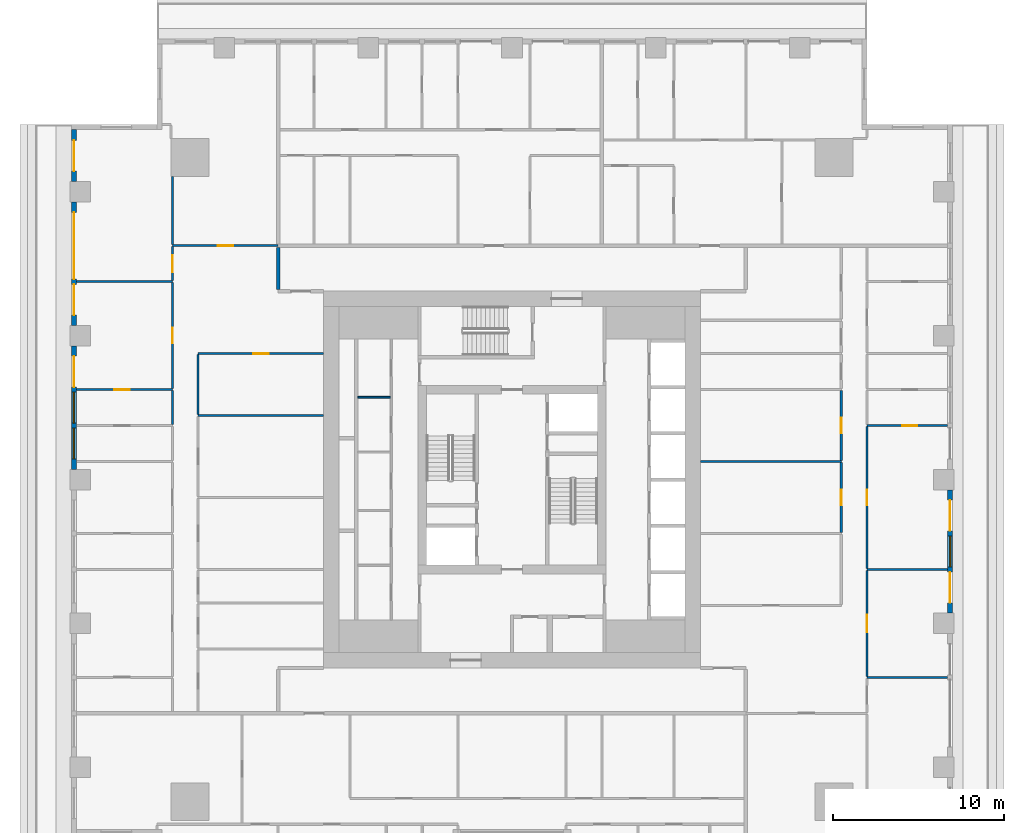
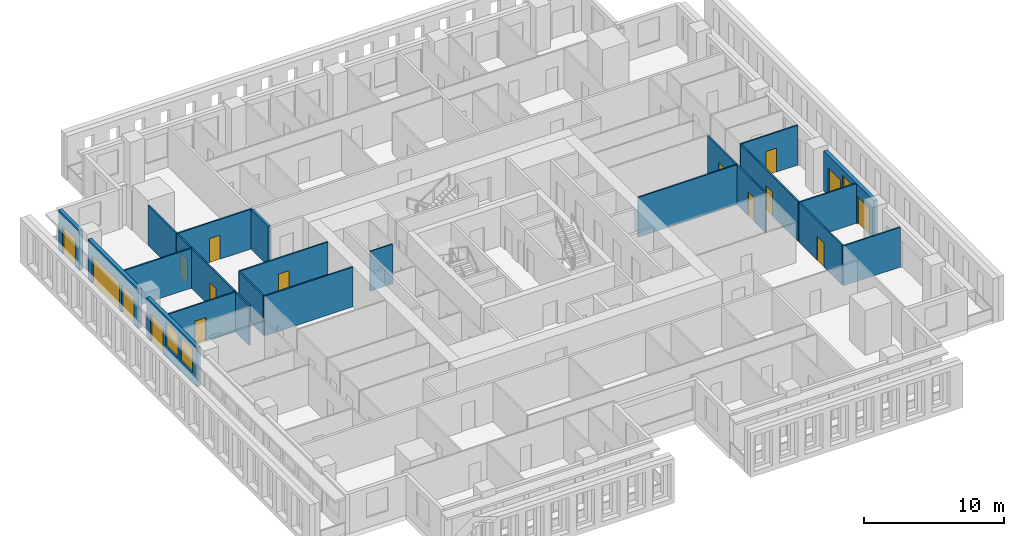
# One storey, part 6 of 15: 24 walls, 16 doors, 3 windows, 19 openings.
"""IFC4 building model written with IfcOpenShell, lengths in metres."""

from ifc_helpers import new_model, si_unit, direction, frame, frame_2d, origin, place, context, subcontext, project, spatial, rectangle, extrude, material, layer, layer_set, type_object, element, fill, save


model = new_model("IFC4")

# Units and contexts
model_context = context("Model", 3, precision=1e-05, world=origin(), true_north=direction((0.0, 1.0)))
body_context = subcontext(model_context, "Body", "Model", "MODEL_VIEW")
ifc_project = project(units=[si_unit("LENGTHUNIT", "METRE"), si_unit("AREAUNIT", "SQUARE_METRE"), si_unit("VOLUMEUNIT", "CUBIC_METRE"), si_unit("PLANEANGLEUNIT", "RADIAN"), si_unit("MASSUNIT", "GRAM", prefix="KILO")], contexts=[model_context])

# Site, building, storey
site_placement = place(None, origin())
site = spatial("IfcSite", under=ifc_project, at=site_placement, CompositionType="ELEMENT")
building_placement = place(site_placement, origin())
building = spatial("IfcBuilding", under=site, at=building_placement, Name="Khepri Terraces", CompositionType="ELEMENT")
storey_placement = place(building_placement, frame((0.0, 0.0, 244.5)))
storey = spatial("IfcBuildingStorey", under=building, at=storey_placement, Name="L58", CompositionType="ELEMENT", Elevation=244.5)

# Walls
ifc_material_1 = material(Name="Fire-rated gypsum board partition")
ifc_layer_1 = layer(ifc_material_1, 0.10009765625, Name="Fire-rated gypsum board partition")
ifc_layer_set_1 = layer_set([ifc_layer_1], Name="Fire-rated gypsum board partition")
wall_type_1 = type_object("IfcWallType", Name="WL-CORE-PART-100", PredefinedType="PARTITIONING", material=ifc_layer_set_1)
wall_1_placement = place(storey_placement, frame((-9.0, 4.800048828125, 0.0), z_axis=(0.0, 0.0, 1.0), x_axis=(1.0, 0.0, 0.0)))
element("IfcWall", 1, at=wall_1_placement, inside=storey, type_object=wall_type_1, Name="Core partition PT11 L58", PredefinedType="PARTITIONING", context=body_context, shape_type="SweptSolid", body=[
    extrude(rectangle(XDim=1.89990234375, YDim=0.10009765625, at=frame_2d((0.949951171875, 0.0))), origin(), (0.0, 0.0, 1.0), 3.47998046875),
])
ifc_material_2 = material(Name="Fire-rated gypsum plasterboard partition, mineral wool")
ifc_layer_2 = layer(ifc_material_2, 0.199951171875, Name="Fire-rated gypsum plasterboard partition, mineral wool")
ifc_layer_set_2 = layer_set([ifc_layer_2], Name="Fire-rated gypsum plasterboard partition, mineral wool")
wall_type_2 = type_object("IfcWallType", Name="WL-CORR-200", PredefinedType="PARTITIONING", material=ifc_layer_set_2)
wall_2_placement = place(storey_placement, frame((-13.64990234375, 11.10009765625, 0.0), z_axis=(0.0, 0.0, 1.0), x_axis=(0.0, 1.0, 0.0)))
element("IfcWall", 2, at=wall_2_placement, inside=storey, type_object=wall_type_2, Name="Partition P-076 L58", PredefinedType="PARTITIONING", context=body_context, shape_type="SweptSolid", body=[
    extrude(rectangle(XDim=2.449951171875, YDim=0.199951171875, at=frame_2d((1.22509765625, 0.0))), origin(), (0.0, 0.0, 1.0), 3.47998046875),
])

# Wall, openings, doors, window
ifc_material_3 = material(Name="Precast concrete C50/60 warm stone", Category="masonry")
ifc_layer_3 = layer(ifc_material_3, 0.300048828125, Name="Precast concrete C50/60 warm stone", Category="masonry")
ifc_layer_set_3 = layer_set([ifc_layer_3], Name="Precast concrete C50/60 warm stone")
wall_type_3 = type_object("IfcWallType", Name="WL-EXT-PRECAST-300", PredefinedType="STANDARD", material=ifc_layer_set_3)
wall_3_placement = place(storey_placement, frame((25.570068359375, -7.800048828125, 0.0), z_axis=(0.0, 0.0, 1.0), x_axis=(0.0, 1.0, 0.0)))
wall_3 = element("IfcWall", 3, at=wall_3_placement, inside=storey, type_object=wall_type_3, Name="External wall L58 E", PredefinedType="STANDARD", context=body_context, shape_type="SweptSolid", body=[
    extrude(rectangle(XDim=7.199951171875, YDim=0.300048828125, at=frame_2d((3.60009765625, 0.0))), origin(), (0.0, 0.0, 1.0), 3.47998046875),
])
opening_1_placement = place(wall_3_placement, frame((0.60009765625, 0.0, 0.0)))
opening_1 = element("IfcOpeningElement", 4, at=opening_1_placement, cuts=wall_3, Name="Opening ED-L58-04", PredefinedType="OPENING", context=body_context, shape_type="SweptSolid", body=[
    extrude(rectangle(XDim=1.800048828125, YDim=2.39990234375, at=frame_2d((0.89990234375, 1.199951171875))), frame((0.0, 0.16015625, 0.0), z_axis=(0.0, -1.0, 0.0), x_axis=(1.0, 0.0, 0.0)), (0.0, 0.0, 1.0), 0.320068359375),
])
opening_2_placement = place(wall_3_placement, frame((2.699951171875, 0.0, 0.89990234375)))
opening_2 = element("IfcOpeningElement", 5, at=opening_2_placement, cuts=wall_3, Name="Opening W1", PredefinedType="OPENING", context=body_context, shape_type="SweptSolid", body=[
    extrude(rectangle(XDim=1.800048828125, YDim=2.10009765625, at=frame_2d((0.89990234375, 1.050048828125))), frame((0.0, 0.16015625, 0.0), z_axis=(0.0, -1.0, 0.0), x_axis=(1.0, 0.0, 0.0)), (0.0, 0.0, 1.0), 0.320068359375),
])
opening_3_placement = place(wall_3_placement, frame((4.800048828125, 0.0, 0.0)))
opening_3 = element("IfcOpeningElement", 6, at=opening_3_placement, cuts=wall_3, Name="Opening ED-L58-05", PredefinedType="OPENING", context=body_context, shape_type="SweptSolid", body=[
    extrude(rectangle(XDim=1.800048828125, YDim=2.39990234375, at=frame_2d((0.89990234375, 1.199951171875))), frame((0.0, 0.16015625, 0.0), z_axis=(0.0, -1.0, 0.0), x_axis=(1.0, 0.0, 0.0)), (0.0, 0.0, 1.0), 0.320068359375),
])
ifc_material_4 = material(Name="Anodised aluminium bronze glazed door", Category="aluminium")
door_type_1 = type_object("IfcDoorType", Name="DR-BAL-SLIDE-1800x2400", OperationType="NOTDEFINED", PredefinedType="DOOR", material=ifc_material_4)
door_1_placement = place(opening_1_placement, origin())
door_1 = element("IfcDoor", 7, at=door_1_placement, inside=storey, type_object=door_type_1, Name="Balcony door L58 E", OperationType="SLIDING_TO_LEFT", OverallHeight=2.39990234375, OverallWidth=1.800048828125, PredefinedType="DOOR", context=body_context, shape_type="SweptSolid", body=[
    extrude(rectangle(XDim=1.800048828125, YDim=2.39990234375, at=frame_2d((0.89990234375, 1.199951171875))), frame((0.0, 0.02490234375, 0.0), z_axis=(0.0, -1.0, 0.0), x_axis=(1.0, 0.0, 0.0)), (0.0, 0.0, 1.0), 0.050048828125),
])
fill(opening_1, door_1)
door_2_placement = place(opening_3_placement, origin())
door_2 = element("IfcDoor", 8, at=door_2_placement, inside=storey, type_object=door_type_1, Name="Balcony door L58 E", OperationType="SLIDING_TO_RIGHT", OverallHeight=2.39990234375, OverallWidth=1.800048828125, PredefinedType="DOOR", context=body_context, shape_type="SweptSolid", body=[
    extrude(rectangle(XDim=1.800048828125, YDim=2.39990234375, at=frame_2d((0.89990234375, 1.199951171875))), frame((0.0, 0.02490234375, 0.0), z_axis=(0.0, -1.0, 0.0), x_axis=(1.0, 0.0, 0.0)), (0.0, 0.0, 1.0), 0.050048828125),
])
fill(opening_3, door_2)
ifc_material_5 = material(Name="Clear glass", Category="glass")
window_type = type_object("IfcWindowType", Name="WIN-RES-1800x2100", PartitioningType="SINGLE_PANEL", PredefinedType="WINDOW", material=ifc_material_5)
window_1_placement = place(opening_2_placement, origin())
window_1 = element("IfcWindow", 9, at=window_1_placement, inside=storey, type_object=window_type, Name="Window L58 E", OverallHeight=2.10009765625, OverallWidth=1.800048828125, PartitioningType="SINGLE_PANEL", PredefinedType="WINDOW", context=body_context, shape_type="SweptSolid", body=[
    extrude(rectangle(XDim=1.800048828125, YDim=2.10009765625, at=frame_2d((0.89990234375, 1.050048828125))), frame((0.0, 0.030029296875, 0.0), z_axis=(0.0, -1.0, 0.0), x_axis=(1.0, 0.0, 0.0)), (0.0, 0.0, 1.0), 0.06005859375),
])
fill(opening_2, window_1)

# Wall, opening, door
wall_4_placement = place(storey_placement, frame((-25.570068359375, 20.419921875, 0.0), z_axis=(0.0, 0.0, 1.0), x_axis=(0.0, -1.0, 0.0)))
wall_4 = element("IfcWall", 10, at=wall_4_placement, inside=storey, type_object=wall_type_3, Name="External wall L58 W", PredefinedType="STANDARD", context=body_context, shape_type="SweptSolid", body=[
    extrude(rectangle(XDim=3.02001953125, YDim=0.300048828125, at=frame_2d((1.510009765625, 0.0))), origin(), (0.0, 0.0, 1.0), 3.47998046875),
])
opening_4_placement = place(wall_4_placement, frame((0.6201171875, 0.0, 0.0)))
opening_4 = element("IfcOpeningElement", 11, at=opening_4_placement, cuts=wall_4, Name="Opening ED-L58-12", PredefinedType="OPENING", context=body_context, shape_type="SweptSolid", body=[
    extrude(rectangle(XDim=1.800048828125, YDim=2.39990234375, at=frame_2d((0.89990234375, 1.199951171875))), frame((0.0, 0.16015625, 0.0), z_axis=(0.0, -1.0, 0.0), x_axis=(1.0, 0.0, 0.0)), (0.0, 0.0, 1.0), 0.320068359375),
])
door_3_placement = place(opening_4_placement, origin())
door_3 = element("IfcDoor", 12, at=door_3_placement, inside=storey, type_object=door_type_1, Name="Balcony door L58 W", OperationType="SLIDING_TO_RIGHT", OverallHeight=2.39990234375, OverallWidth=1.800048828125, PredefinedType="DOOR", context=body_context, shape_type="SweptSolid", body=[
    extrude(rectangle(XDim=1.800048828125, YDim=2.39990234375, at=frame_2d((0.89990234375, 1.199951171875))), frame((0.0, 0.02490234375, 0.0), z_axis=(0.0, -1.0, 0.0), x_axis=(1.0, 0.0, 0.0)), (0.0, 0.0, 1.0), 0.050048828125),
])
fill(opening_4, door_3)

# Wall, openings, doors
wall_5_placement = place(storey_placement, frame((-25.570068359375, 16.199951171875, 0.0), z_axis=(0.0, 0.0, 1.0), x_axis=(0.0, -1.0, 0.0)))
wall_5 = element("IfcWall", 13, at=wall_5_placement, inside=storey, type_object=wall_type_3, Name="External wall L58 W", PredefinedType="STANDARD", context=body_context, shape_type="SweptSolid", body=[
    extrude(rectangle(XDim=7.199951171875, YDim=0.300048828125, at=frame_2d((3.60009765625, 0.0))), origin(), (0.0, 0.0, 1.0), 3.47998046875),
])
opening_5_placement = place(wall_5_placement, frame((0.60009765625, 0.0, 0.0)))
opening_5 = element("IfcOpeningElement", 14, at=opening_5_placement, cuts=wall_5, Name="Opening ED-L58-13", PredefinedType="OPENING", context=body_context, shape_type="SweptSolid", body=[
    extrude(rectangle(XDim=3.89990234375, YDim=2.39990234375, at=frame_2d((1.949951171875, 1.199951171875))), frame((0.0, 0.16015625, 0.0), z_axis=(0.0, -1.0, 0.0), x_axis=(1.0, 0.0, 0.0)), (0.0, 0.0, 1.0), 0.320068359375),
])
opening_6_placement = place(wall_5_placement, frame((4.800048828125, 0.0, 0.0)))
opening_6 = element("IfcOpeningElement", 15, at=opening_6_placement, cuts=wall_5, Name="Opening ED-L58-14", PredefinedType="OPENING", context=body_context, shape_type="SweptSolid", body=[
    extrude(rectangle(XDim=1.800048828125, YDim=2.39990234375, at=frame_2d((0.89990234375, 1.199951171875))), frame((0.0, 0.16015625, 0.0), z_axis=(0.0, -1.0, 0.0), x_axis=(1.0, 0.0, 0.0)), (0.0, 0.0, 1.0), 0.320068359375),
])
door_4_placement = place(opening_6_placement, origin())
door_4 = element("IfcDoor", 16, at=door_4_placement, inside=storey, type_object=door_type_1, Name="Balcony door L58 W", OperationType="SLIDING_TO_RIGHT", OverallHeight=2.39990234375, OverallWidth=1.800048828125, PredefinedType="DOOR", context=body_context, shape_type="SweptSolid", body=[
    extrude(rectangle(XDim=1.800048828125, YDim=2.39990234375, at=frame_2d((0.89990234375, 1.199951171875))), frame((0.0, 0.02490234375, 0.0), z_axis=(0.0, -1.0, 0.0), x_axis=(1.0, 0.0, 0.0)), (0.0, 0.0, 1.0), 0.050048828125),
])
fill(opening_6, door_4)
door_type_2 = type_object("IfcDoorType", Name="DR-BAL-SLIDE-3900x2400", OperationType="NOTDEFINED", PredefinedType="DOOR", material=ifc_material_4)
door_5_placement = place(opening_5_placement, origin())
door_5 = element("IfcDoor", 17, at=door_5_placement, inside=storey, type_object=door_type_2, Name="Balcony door L58 W", OperationType="SLIDING_TO_LEFT", OverallHeight=2.39990234375, OverallWidth=3.89990234375, PredefinedType="DOOR", context=body_context, shape_type="SweptSolid", body=[
    extrude(rectangle(XDim=3.89990234375, YDim=2.39990234375, at=frame_2d((1.949951171875, 1.199951171875))), frame((0.0, 0.02490234375, 0.0), z_axis=(0.0, -1.0, 0.0), x_axis=(1.0, 0.0, 0.0)), (0.0, 0.0, 1.0), 0.050048828125),
])
fill(opening_5, door_5)

# Wall, openings, door, windows
wall_6_placement = place(storey_placement, frame((-25.570068359375, 7.800048828125, 0.0), z_axis=(0.0, 0.0, 1.0), x_axis=(0.0, -1.0, 0.0)))
wall_6 = element("IfcWall", 18, at=wall_6_placement, inside=storey, type_object=wall_type_3, Name="External wall L58 W", PredefinedType="STANDARD", context=body_context, shape_type="SweptSolid", body=[
    extrude(rectangle(XDim=7.199951171875, YDim=0.300048828125, at=frame_2d((3.60009765625, 0.0))), origin(), (0.0, 0.0, 1.0), 3.47998046875),
])
opening_7_placement = place(wall_6_placement, frame((0.60009765625, 0.0, 0.0)))
opening_7 = element("IfcOpeningElement", 19, at=opening_7_placement, cuts=wall_6, Name="Opening ED-L58-15", PredefinedType="OPENING", context=body_context, shape_type="SweptSolid", body=[
    extrude(rectangle(XDim=1.800048828125, YDim=2.39990234375, at=frame_2d((0.89990234375, 1.199951171875))), frame((0.0, 0.16015625, 0.0), z_axis=(0.0, -1.0, 0.0), x_axis=(1.0, 0.0, 0.0)), (0.0, 0.0, 1.0), 0.320068359375),
])
opening_8_placement = place(wall_6_placement, frame((2.699951171875, 0.0, 0.89990234375)))
opening_8 = element("IfcOpeningElement", 20, at=opening_8_placement, cuts=wall_6, Name="Opening W1", PredefinedType="OPENING", context=body_context, shape_type="SweptSolid", body=[
    extrude(rectangle(XDim=1.800048828125, YDim=2.10009765625, at=frame_2d((0.89990234375, 1.050048828125))), frame((0.0, 0.16015625, 0.0), z_axis=(0.0, -1.0, 0.0), x_axis=(1.0, 0.0, 0.0)), (0.0, 0.0, 1.0), 0.320068359375),
])
opening_9_placement = place(wall_6_placement, frame((4.800048828125, 0.0, 0.89990234375)))
opening_9 = element("IfcOpeningElement", 21, at=opening_9_placement, cuts=wall_6, Name="Opening W1", PredefinedType="OPENING", context=body_context, shape_type="SweptSolid", body=[
    extrude(rectangle(XDim=1.800048828125, YDim=2.10009765625, at=frame_2d((0.89990234375, 1.050048828125))), frame((0.0, 0.16015625, 0.0), z_axis=(0.0, -1.0, 0.0), x_axis=(1.0, 0.0, 0.0)), (0.0, 0.0, 1.0), 0.320068359375),
])
door_6_placement = place(opening_7_placement, origin())
door_6 = element("IfcDoor", 22, at=door_6_placement, inside=storey, type_object=door_type_1, Name="Balcony door L58 W", OperationType="SLIDING_TO_LEFT", OverallHeight=2.39990234375, OverallWidth=1.800048828125, PredefinedType="DOOR", context=body_context, shape_type="SweptSolid", body=[
    extrude(rectangle(XDim=1.800048828125, YDim=2.39990234375, at=frame_2d((0.89990234375, 1.199951171875))), frame((0.0, 0.02490234375, 0.0), z_axis=(0.0, -1.0, 0.0), x_axis=(1.0, 0.0, 0.0)), (0.0, 0.0, 1.0), 0.050048828125),
])
fill(opening_7, door_6)
window_2_placement = place(opening_8_placement, origin())
window_2 = element("IfcWindow", 23, at=window_2_placement, inside=storey, type_object=window_type, Name="Window L58 W", OverallHeight=2.10009765625, OverallWidth=1.800048828125, PartitioningType="SINGLE_PANEL", PredefinedType="WINDOW", context=body_context, shape_type="SweptSolid", body=[
    extrude(rectangle(XDim=1.800048828125, YDim=2.10009765625, at=frame_2d((0.89990234375, 1.050048828125))), frame((0.0, 0.030029296875, 0.0), z_axis=(0.0, -1.0, 0.0), x_axis=(1.0, 0.0, 0.0)), (0.0, 0.0, 1.0), 0.06005859375),
])
fill(opening_8, window_2)
window_3_placement = place(opening_9_placement, origin())
window_3 = element("IfcWindow", 24, at=window_3_placement, inside=storey, type_object=window_type, Name="Window L58 W", OverallHeight=2.10009765625, OverallWidth=1.800048828125, PartitioningType="SINGLE_PANEL", PredefinedType="WINDOW", context=body_context, shape_type="SweptSolid", body=[
    extrude(rectangle(XDim=1.800048828125, YDim=2.10009765625, at=frame_2d((0.89990234375, 1.050048828125))), frame((0.0, 0.030029296875, 0.0), z_axis=(0.0, -1.0, 0.0), x_axis=(1.0, 0.0, 0.0)), (0.0, 0.0, 1.0), 0.06005859375),
])
fill(opening_9, window_3)

# Wall
ifc_material_6 = material(Name="Gypsum plasterboard partition")
ifc_layer_4 = layer(ifc_material_6, 0.1201171875, Name="Gypsum plasterboard partition")
ifc_layer_set_4 = layer_set([ifc_layer_4], Name="Gypsum plasterboard partition")
wall_type_4 = type_object("IfcWallType", Name="WL-PART-120", PredefinedType="PARTITIONING", material=ifc_layer_set_4)
wall_7_placement = place(storey_placement, frame((20.719970703125, -11.550048828125, 0.0), z_axis=(0.0, 0.0, 1.0), x_axis=(1.0, 0.0, 0.0)))
element("IfcWall", 25, at=wall_7_placement, inside=storey, type_object=wall_type_4, Name="Partition P-028 L58", PredefinedType="PARTITIONING", context=body_context, shape_type="SweptSolid", body=[
    extrude(rectangle(XDim=4.699951171875, YDim=0.1201171875, at=frame_2d((2.35009765625, 0.0))), origin(), (0.0, 0.0, 1.0), 3.47998046875),
])

# Wall, opening, door
wall_8_placement = place(storey_placement, frame((20.719970703125, -11.489990234375, 0.0), z_axis=(0.0, 0.0, 1.0), x_axis=(0.0, 1.0, 0.0)))
wall_8 = element("IfcWall", 26, at=wall_8_placement, inside=storey, type_object=wall_type_4, Name="Partition P-030 L58", PredefinedType="PARTITIONING", context=body_context, shape_type="SweptSolid", body=[
    extrude(rectangle(XDim=6.179931640625, YDim=0.1201171875, at=frame_2d((3.08984375, 0.0))), origin(), (0.0, 0.0, 1.0), 3.47998046875),
])
opening_10_placement = place(wall_8_placement, frame((2.590087890625, 0.0, 0.0)))
opening_10 = element("IfcOpeningElement", 27, at=opening_10_placement, cuts=wall_8, Name="Opening D2", PredefinedType="OPENING", context=body_context, shape_type="SweptSolid", body=[
    extrude(rectangle(XDim=1.0, YDim=2.10009765625, at=frame_2d((0.5, 1.050048828125))), frame((0.0, 0.070068359375, 0.0), z_axis=(0.0, -1.0, 0.0), x_axis=(1.0, 0.0, 0.0)), (0.0, 0.0, 1.0), 0.14013671875),
])
ifc_material_7 = material(Name="Timber door leaf, living room door", Category="wood")
door_type_3 = type_object("IfcDoorType", Name="DR-INT-1000", OperationType="NOTDEFINED", PredefinedType="DOOR", material=ifc_material_7)
door_7_placement = place(opening_10_placement, frame((1.0, 0.0, 0.0), z_axis=(0.0, 0.0, 1.0), x_axis=(-1.0, 0.0, 0.0)))
door_7 = element("IfcDoor", 28, at=door_7_placement, inside=storey, type_object=door_type_3, Name="Door Family Room", OperationType="SINGLE_SWING_RIGHT", OverallHeight=2.10009765625, OverallWidth=1.0, PredefinedType="DOOR", context=body_context, shape_type="SweptSolid", body=[
    extrude(rectangle(XDim=1.0, YDim=2.10009765625, at=frame_2d((0.5, 1.050048828125))), frame((0.0, 0.02490234375, 0.0), z_axis=(0.0, -1.0, 0.0), x_axis=(1.0, 0.0, 0.0)), (0.0, 0.0, 1.0), 0.050048828125),
])
fill(opening_10, door_7)

# Wall
wall_9_placement = place(storey_placement, frame((20.719970703125, -5.25, 0.0), z_axis=(0.0, 0.0, 1.0), x_axis=(1.0, 0.0, 0.0)))
element("IfcWall", 29, at=wall_9_placement, inside=storey, type_object=wall_type_4, Name="Partition P-041 L58", PredefinedType="PARTITIONING", context=body_context, shape_type="SweptSolid", body=[
    extrude(rectangle(XDim=4.699951171875, YDim=0.1201171875, at=frame_2d((2.35009765625, 0.0))), origin(), (0.0, 0.0, 1.0), 3.47998046875),
])

# Wall, opening, door
wall_10_placement = place(storey_placement, frame((20.719970703125, -5.18994140625, 0.0), z_axis=(0.0, 0.0, 1.0), x_axis=(0.0, 1.0, 0.0)))
wall_10 = element("IfcWall", 30, at=wall_10_placement, inside=storey, type_object=wall_type_4, Name="Partition P-044 L58", PredefinedType="PARTITIONING", context=body_context, shape_type="SweptSolid", body=[
    extrude(rectangle(XDim=8.280029296875, YDim=0.1201171875, at=frame_2d((4.14013671875, 0.0))), origin(), (0.0, 0.0, 1.0), 3.47998046875),
])
opening_11_placement = place(wall_10_placement, frame((3.68994140625, 0.0, 0.0)))
opening_11 = element("IfcOpeningElement", 31, at=opening_11_placement, cuts=wall_10, Name="Opening D3", PredefinedType="OPENING", context=body_context, shape_type="SweptSolid", body=[
    extrude(rectangle(XDim=0.89990234375, YDim=2.10009765625, at=frame_2d((0.449951171875, 1.050048828125))), frame((0.0, 0.070068359375, 0.0), z_axis=(0.0, -1.0, 0.0), x_axis=(1.0, 0.0, 0.0)), (0.0, 0.0, 1.0), 0.14013671875),
])
ifc_material_8 = material(Name="Timber door leaf", Category="wood")
door_type_4 = type_object("IfcDoorType", Name="DR-INT-900", OperationType="NOTDEFINED", PredefinedType="DOOR", material=ifc_material_8)
door_8_placement = place(opening_11_placement, frame((0.89990234375, 0.0, 0.0), z_axis=(0.0, 0.0, 1.0), x_axis=(-1.0, 0.0, 0.0)))
door_8 = element("IfcDoor", 32, at=door_8_placement, inside=storey, type_object=door_type_4, Name="Door Master Bedroom", OperationType="SINGLE_SWING_LEFT", OverallHeight=2.10009765625, OverallWidth=0.89990234375, PredefinedType="DOOR", context=body_context, shape_type="SweptSolid", body=[
    extrude(rectangle(XDim=0.89990234375, YDim=2.10009765625, at=frame_2d((0.449951171875, 1.050048828125))), frame((0.0, 0.02490234375, 0.0), z_axis=(0.0, -1.0, 0.0), x_axis=(1.0, 0.0, 0.0)), (0.0, 0.0, 1.0), 0.050048828125),
])
fill(opening_11, door_8)

wall_11_placement = place(storey_placement, frame((19.219970703125, -3.090087890625, 0.0), z_axis=(0.0, 0.0, 1.0), x_axis=(0.0, 1.0, 0.0)))
wall_11 = element("IfcWall", 33, at=wall_11_placement, inside=storey, type_object=wall_type_4, Name="Partition P-048 L58", PredefinedType="PARTITIONING", context=body_context, shape_type="SweptSolid", body=[
    extrude(rectangle(XDim=4.080078125, YDim=0.1201171875, at=frame_2d((2.0400390625, 0.0))), origin(), (0.0, 0.0, 1.0), 3.47998046875),
])
opening_12_placement = place(wall_11_placement, frame((1.590087890625, 0.0, 0.0)))
opening_12 = element("IfcOpeningElement", 34, at=opening_12_placement, cuts=wall_11, Name="Opening D3", PredefinedType="OPENING", context=body_context, shape_type="SweptSolid", body=[
    extrude(rectangle(XDim=0.89990234375, YDim=2.10009765625, at=frame_2d((0.449951171875, 1.050048828125))), frame((0.0, 0.070068359375, 0.0), z_axis=(0.0, -1.0, 0.0), x_axis=(1.0, 0.0, 0.0)), (0.0, 0.0, 1.0), 0.14013671875),
])
door_9_placement = place(opening_12_placement, origin())
door_9 = element("IfcDoor", 35, at=door_9_placement, inside=storey, type_object=door_type_4, Name="Door Service Kitchen", OperationType="SINGLE_SWING_RIGHT", OverallHeight=2.10009765625, OverallWidth=0.89990234375, PredefinedType="DOOR", context=body_context, shape_type="SweptSolid", body=[
    extrude(rectangle(XDim=0.89990234375, YDim=2.10009765625, at=frame_2d((0.449951171875, 1.050048828125))), frame((0.0, 0.02490234375, 0.0), z_axis=(0.0, -1.0, 0.0), x_axis=(1.0, 0.0, 0.0)), (0.0, 0.0, 1.0), 0.050048828125),
])
fill(opening_12, door_9)

# Wall
wall_12_placement = place(storey_placement, frame((11.0, 1.050048828125, 0.0), z_axis=(0.0, 0.0, 1.0), x_axis=(1.0, 0.0, 0.0)))
element("IfcWall", 36, at=wall_12_placement, inside=storey, type_object=wall_type_4, Name="Partition P-052 L58", PredefinedType="PARTITIONING", context=body_context, shape_type="SweptSolid", body=[
    extrude(rectangle(XDim=8.219970703125, YDim=0.1201171875, at=frame_2d((4.10986328125, 0.0))), origin(), (0.0, 0.0, 1.0), 3.47998046875),
])

# Wall, opening, door
wall_13_placement = place(storey_placement, frame((19.219970703125, 1.110107421875, 0.0), z_axis=(0.0, 0.0, 1.0), x_axis=(0.0, 1.0, 0.0)))
wall_13 = element("IfcWall", 37, at=wall_13_placement, inside=storey, type_object=wall_type_4, Name="Partition P-054 L58", PredefinedType="PARTITIONING", context=body_context, shape_type="SweptSolid", body=[
    extrude(rectangle(XDim=4.079833984375, YDim=0.1201171875, at=frame_2d((2.0400390625, 0.0))), origin(), (0.0, 0.0, 1.0), 3.47998046875),
])
opening_13_placement = place(wall_13_placement, frame((1.590087890625, 0.0, 0.0)))
opening_13 = element("IfcOpeningElement", 38, at=opening_13_placement, cuts=wall_13, Name="Opening D3", PredefinedType="OPENING", context=body_context, shape_type="SweptSolid", body=[
    extrude(rectangle(XDim=0.89990234375, YDim=2.10009765625, at=frame_2d((0.449951171875, 1.050048828125))), frame((0.0, 0.070068359375, 0.0), z_axis=(0.0, -1.0, 0.0), x_axis=(1.0, 0.0, 0.0)), (0.0, 0.0, 1.0), 0.14013671875),
])
door_10_placement = place(opening_13_placement, origin())
door_10 = element("IfcDoor", 39, at=door_10_placement, inside=storey, type_object=door_type_4, Name="Door Staff Bedroom", OperationType="SINGLE_SWING_RIGHT", OverallHeight=2.10009765625, OverallWidth=0.89990234375, PredefinedType="DOOR", context=body_context, shape_type="SweptSolid", body=[
    extrude(rectangle(XDim=0.89990234375, YDim=2.10009765625, at=frame_2d((0.449951171875, 1.050048828125))), frame((0.0, 0.02490234375, 0.0), z_axis=(0.0, -1.0, 0.0), x_axis=(1.0, 0.0, 0.0)), (0.0, 0.0, 1.0), 0.050048828125),
])
fill(opening_13, door_10)

wall_14_placement = place(storey_placement, frame((20.719970703125, 3.14990234375, 0.0), z_axis=(0.0, 0.0, 1.0), x_axis=(1.0, 0.0, 0.0)))
wall_14 = element("IfcWall", 40, at=wall_14_placement, inside=storey, type_object=wall_type_4, Name="Partition P-056 L58", PredefinedType="PARTITIONING", context=body_context, shape_type="SweptSolid", body=[
    extrude(rectangle(XDim=4.699951171875, YDim=0.1201171875, at=frame_2d((2.35009765625, 0.0))), origin(), (0.0, 0.0, 1.0), 3.47998046875),
])
opening_14_placement = place(wall_14_placement, frame((2.050048828125, 0.0, 0.0)))
opening_14 = element("IfcOpeningElement", 41, at=opening_14_placement, cuts=wall_14, Name="Opening D3", PredefinedType="OPENING", context=body_context, shape_type="SweptSolid", body=[
    extrude(rectangle(XDim=0.89990234375, YDim=2.10009765625, at=frame_2d((0.449951171875, 1.050048828125))), frame((0.0, 0.070068359375, 0.0), z_axis=(0.0, -1.0, 0.0), x_axis=(1.0, 0.0, 0.0)), (0.0, 0.0, 1.0), 0.14013671875),
])
door_11_placement = place(opening_14_placement, origin())
door_11 = element("IfcDoor", 42, at=door_11_placement, inside=storey, type_object=door_type_4, Name="Door Dressing Room", OperationType="SINGLE_SWING_RIGHT", OverallHeight=2.10009765625, OverallWidth=0.89990234375, PredefinedType="DOOR", context=body_context, shape_type="SweptSolid", body=[
    extrude(rectangle(XDim=0.89990234375, YDim=2.10009765625, at=frame_2d((0.449951171875, 1.050048828125))), frame((0.0, 0.02490234375, 0.0), z_axis=(0.0, -1.0, 0.0), x_axis=(1.0, 0.0, 0.0)), (0.0, 0.0, 1.0), 0.050048828125),
])
fill(opening_14, door_11)

# Walls
wall_15_placement = place(storey_placement, frame((-19.820068359375, 3.2099609375, 0.0), z_axis=(0.0, 0.0, 1.0), x_axis=(0.0, 1.0, 0.0)))
element("IfcWall", 43, at=wall_15_placement, inside=storey, type_object=wall_type_4, Name="Partition P-057 L58", PredefinedType="PARTITIONING", context=body_context, shape_type="SweptSolid", body=[
    extrude(rectangle(XDim=1.97998046875, YDim=0.1201171875, at=frame_2d((0.989990234375, 0.0))), origin(), (0.0, 0.0, 1.0), 3.47998046875),
])
wall_16_placement = place(storey_placement, frame((-18.320068359375, 3.75, 0.0), z_axis=(0.0, 0.0, 1.0), x_axis=(1.0, 0.0, 0.0)))
element("IfcWall", 44, at=wall_16_placement, inside=storey, type_object=wall_type_4, Name="Partition P-059 L58", PredefinedType="PARTITIONING", context=body_context, shape_type="SweptSolid", body=[
    extrude(rectangle(XDim=7.320068359375, YDim=0.1201171875, at=frame_2d((3.66015625, 0.0))), origin(), (0.0, 0.0, 1.0), 3.47998046875),
])
wall_17_placement = place(storey_placement, frame((-18.320068359375, 3.81005859375, 0.0), z_axis=(0.0, 0.0, 1.0), x_axis=(0.0, 1.0, 0.0)))
element("IfcWall", 45, at=wall_17_placement, inside=storey, type_object=wall_type_4, Name="Partition P-060 L58", PredefinedType="PARTITIONING", context=body_context, shape_type="SweptSolid", body=[
    extrude(rectangle(XDim=3.47998046875, YDim=0.1201171875, at=frame_2d((1.739990234375, 0.0))), origin(), (0.0, 0.0, 1.0), 3.47998046875),
])

# Wall, opening, door
wall_18_placement = place(storey_placement, frame((-25.419921875, 5.25, 0.0), z_axis=(0.0, 0.0, 1.0), x_axis=(1.0, 0.0, 0.0)))
wall_18 = element("IfcWall", 46, at=wall_18_placement, inside=storey, type_object=wall_type_4, Name="Partition P-061 L58", PredefinedType="PARTITIONING", context=body_context, shape_type="SweptSolid", body=[
    extrude(rectangle(XDim=5.599853515625, YDim=0.1201171875, at=frame_2d((2.7998046875, 0.0))), origin(), (0.0, 0.0, 1.0), 3.47998046875),
])
opening_15_placement = place(wall_18_placement, frame((2.199951171875, 0.0, 0.0)))
opening_15 = element("IfcOpeningElement", 47, at=opening_15_placement, cuts=wall_18, Name="Opening D3", PredefinedType="OPENING", context=body_context, shape_type="SweptSolid", body=[
    extrude(rectangle(XDim=0.89990234375, YDim=2.10009765625, at=frame_2d((0.449951171875, 1.050048828125))), frame((0.0, 0.070068359375, 0.0), z_axis=(0.0, -1.0, 0.0), x_axis=(1.0, 0.0, 0.0)), (0.0, 0.0, 1.0), 0.14013671875),
])
door_12_placement = place(opening_15_placement, frame((0.89990234375, 0.0, 0.0), z_axis=(0.0, 0.0, 1.0), x_axis=(-1.0, 0.0, 0.0)))
door_12 = element("IfcDoor", 48, at=door_12_placement, inside=storey, type_object=door_type_4, Name="Door Dressing Room", OperationType="SINGLE_SWING_RIGHT", OverallHeight=2.10009765625, OverallWidth=0.89990234375, PredefinedType="DOOR", context=body_context, shape_type="SweptSolid", body=[
    extrude(rectangle(XDim=0.89990234375, YDim=2.10009765625, at=frame_2d((0.449951171875, 1.050048828125))), frame((0.0, 0.02490234375, 0.0), z_axis=(0.0, -1.0, 0.0), x_axis=(1.0, 0.0, 0.0)), (0.0, 0.0, 1.0), 0.050048828125),
])
fill(opening_15, door_12)

wall_19_placement = place(storey_placement, frame((-19.820068359375, 5.31005859375, 0.0), z_axis=(0.0, 0.0, 1.0), x_axis=(0.0, 1.0, 0.0)))
wall_19 = element("IfcWall", 49, at=wall_19_placement, inside=storey, type_object=wall_type_4, Name="Partition P-064 L58", PredefinedType="PARTITIONING", context=body_context, shape_type="SweptSolid", body=[
    extrude(rectangle(XDim=6.179931640625, YDim=0.1201171875, at=frame_2d((3.08984375, 0.0))), origin(), (0.0, 0.0, 1.0), 3.47998046875),
])
opening_16_placement = place(wall_19_placement, frame((2.639892578125, 0.0, 0.0)))
opening_16 = element("IfcOpeningElement", 50, at=opening_16_placement, cuts=wall_19, Name="Opening D3", PredefinedType="OPENING", context=body_context, shape_type="SweptSolid", body=[
    extrude(rectangle(XDim=0.89990234375, YDim=2.10009765625, at=frame_2d((0.449951171875, 1.050048828125))), frame((0.0, 0.070068359375, 0.0), z_axis=(0.0, -1.0, 0.0), x_axis=(1.0, 0.0, 0.0)), (0.0, 0.0, 1.0), 0.14013671875),
])
door_13_placement = place(opening_16_placement, origin())
door_13 = element("IfcDoor", 51, at=door_13_placement, inside=storey, type_object=door_type_4, Name="Door Master Bedroom", OperationType="SINGLE_SWING_RIGHT", OverallHeight=2.10009765625, OverallWidth=0.89990234375, PredefinedType="DOOR", context=body_context, shape_type="SweptSolid", body=[
    extrude(rectangle(XDim=0.89990234375, YDim=2.10009765625, at=frame_2d((0.449951171875, 1.050048828125))), frame((0.0, 0.02490234375, 0.0), z_axis=(0.0, -1.0, 0.0), x_axis=(1.0, 0.0, 0.0)), (0.0, 0.0, 1.0), 0.050048828125),
])
fill(opening_16, door_13)

wall_20_placement = place(storey_placement, frame((-18.320068359375, 7.35009765625, 0.0), z_axis=(0.0, 0.0, 1.0), x_axis=(1.0, 0.0, 0.0)))
wall_20 = element("IfcWall", 52, at=wall_20_placement, inside=storey, type_object=wall_type_4, Name="Partition P-067 L58", PredefinedType="PARTITIONING", context=body_context, shape_type="SweptSolid", body=[
    extrude(rectangle(XDim=7.320068359375, YDim=0.1201171875, at=frame_2d((3.66015625, 0.0))), origin(), (0.0, 0.0, 1.0), 3.47998046875),
])
opening_17_placement = place(wall_20_placement, frame((3.2099609375, 0.0, 0.0)))
opening_17 = element("IfcOpeningElement", 53, at=opening_17_placement, cuts=wall_20, Name="Opening D3", PredefinedType="OPENING", context=body_context, shape_type="SweptSolid", body=[
    extrude(rectangle(XDim=0.89990234375, YDim=2.10009765625, at=frame_2d((0.449951171875, 1.050048828125))), frame((0.0, 0.070068359375, 0.0), z_axis=(0.0, -1.0, 0.0), x_axis=(1.0, 0.0, 0.0)), (0.0, 0.0, 1.0), 0.14013671875),
])
door_14_placement = place(opening_17_placement, frame((0.89990234375, 0.0, 0.0), z_axis=(0.0, 0.0, 1.0), x_axis=(-1.0, 0.0, 0.0)))
door_14 = element("IfcDoor", 54, at=door_14_placement, inside=storey, type_object=door_type_4, Name="Door Kitchen", OperationType="SINGLE_SWING_LEFT", OverallHeight=2.10009765625, OverallWidth=0.89990234375, PredefinedType="DOOR", context=body_context, shape_type="SweptSolid", body=[
    extrude(rectangle(XDim=0.89990234375, YDim=2.10009765625, at=frame_2d((0.449951171875, 1.050048828125))), frame((0.0, 0.02490234375, 0.0), z_axis=(0.0, -1.0, 0.0), x_axis=(1.0, 0.0, 0.0)), (0.0, 0.0, 1.0), 0.050048828125),
])
fill(opening_17, door_14)

# Wall
wall_21_placement = place(storey_placement, frame((-25.419921875, 11.550048828125, 0.0), z_axis=(0.0, 0.0, 1.0), x_axis=(1.0, 0.0, 0.0)))
element("IfcWall", 55, at=wall_21_placement, inside=storey, type_object=wall_type_4, Name="Partition P-078 L58", PredefinedType="PARTITIONING", context=body_context, shape_type="SweptSolid", body=[
    extrude(rectangle(XDim=5.599853515625, YDim=0.1201171875, at=frame_2d((2.7998046875, 0.0))), origin(), (0.0, 0.0, 1.0), 3.47998046875),
])

# Wall, opening, door
wall_22_placement = place(storey_placement, frame((-19.820068359375, 11.610107421875, 0.0), z_axis=(0.0, 0.0, 1.0), x_axis=(0.0, 1.0, 0.0)))
wall_22 = element("IfcWall", 56, at=wall_22_placement, inside=storey, type_object=wall_type_4, Name="Partition P-080 L58", PredefinedType="PARTITIONING", context=body_context, shape_type="SweptSolid", body=[
    extrude(rectangle(XDim=1.97998046875, YDim=0.1201171875, at=frame_2d((0.989990234375, 0.0))), origin(), (0.0, 0.0, 1.0), 3.47998046875),
])
opening_18_placement = place(wall_22_placement, frame((0.489990234375, 0.0, 0.0)))
opening_18 = element("IfcOpeningElement", 57, at=opening_18_placement, cuts=wall_22, Name="Opening D2", PredefinedType="OPENING", context=body_context, shape_type="SweptSolid", body=[
    extrude(rectangle(XDim=1.0, YDim=2.10009765625, at=frame_2d((0.5, 1.050048828125))), frame((0.0, 0.070068359375, 0.0), z_axis=(0.0, -1.0, 0.0), x_axis=(1.0, 0.0, 0.0)), (0.0, 0.0, 1.0), 0.14013671875),
])
door_15_placement = place(opening_18_placement, origin())
door_15 = element("IfcDoor", 58, at=door_15_placement, inside=storey, type_object=door_type_3, Name="Door Living Room", OperationType="SINGLE_SWING_RIGHT", OverallHeight=2.10009765625, OverallWidth=1.0, PredefinedType="DOOR", context=body_context, shape_type="SweptSolid", body=[
    extrude(rectangle(XDim=1.0, YDim=2.10009765625, at=frame_2d((0.5, 1.050048828125))), frame((0.0, 0.02490234375, 0.0), z_axis=(0.0, -1.0, 0.0), x_axis=(1.0, 0.0, 0.0)), (0.0, 0.0, 1.0), 0.050048828125),
])
fill(opening_18, door_15)

wall_23_placement = place(storey_placement, frame((-19.820068359375, 13.64990234375, 0.0), z_axis=(0.0, 0.0, 1.0), x_axis=(1.0, 0.0, 0.0)))
wall_23 = element("IfcWall", 59, at=wall_23_placement, inside=storey, type_object=wall_type_4, Name="Partition P-082 L58", PredefinedType="PARTITIONING", context=body_context, shape_type="SweptSolid", body=[
    extrude(rectangle(XDim=6.170166015625, YDim=0.1201171875, at=frame_2d((3.0849609375, 0.0))), origin(), (0.0, 0.0, 1.0), 3.47998046875),
])
opening_19_placement = place(wall_23_placement, frame((2.635009765625, 0.0, 0.0)))
opening_19 = element("IfcOpeningElement", 60, at=opening_19_placement, cuts=wall_23, Name="Opening D3", PredefinedType="OPENING", context=body_context, shape_type="SweptSolid", body=[
    extrude(rectangle(XDim=0.89990234375, YDim=2.10009765625, at=frame_2d((0.449951171875, 1.050048828125))), frame((0.0, 0.070068359375, 0.0), z_axis=(0.0, -1.0, 0.0), x_axis=(1.0, 0.0, 0.0)), (0.0, 0.0, 1.0), 0.14013671875),
])
door_16_placement = place(opening_19_placement, origin())
door_16 = element("IfcDoor", 61, at=door_16_placement, inside=storey, type_object=door_type_4, Name="Door Home Cinema", OperationType="SINGLE_SWING_RIGHT", OverallHeight=2.10009765625, OverallWidth=0.89990234375, PredefinedType="DOOR", context=body_context, shape_type="SweptSolid", body=[
    extrude(rectangle(XDim=0.89990234375, YDim=2.10009765625, at=frame_2d((0.449951171875, 1.050048828125))), frame((0.0, 0.02490234375, 0.0), z_axis=(0.0, -1.0, 0.0), x_axis=(1.0, 0.0, 0.0)), (0.0, 0.0, 1.0), 0.050048828125),
])
fill(opening_19, door_16)

# Wall
wall_24_placement = place(storey_placement, frame((-19.820068359375, 13.7099609375, 0.0), z_axis=(0.0, 0.0, 1.0), x_axis=(0.0, 1.0, 0.0)))
element("IfcWall", 62, at=wall_24_placement, inside=storey, type_object=wall_type_4, Name="Partition P-084 L58", PredefinedType="PARTITIONING", context=body_context, shape_type="SweptSolid", body=[
    extrude(rectangle(XDim=3.989990234375, YDim=0.1201171875, at=frame_2d((1.9951171875, 0.0))), origin(), (0.0, 0.0, 1.0), 3.47998046875),
])

save(model, "model.ifc")
